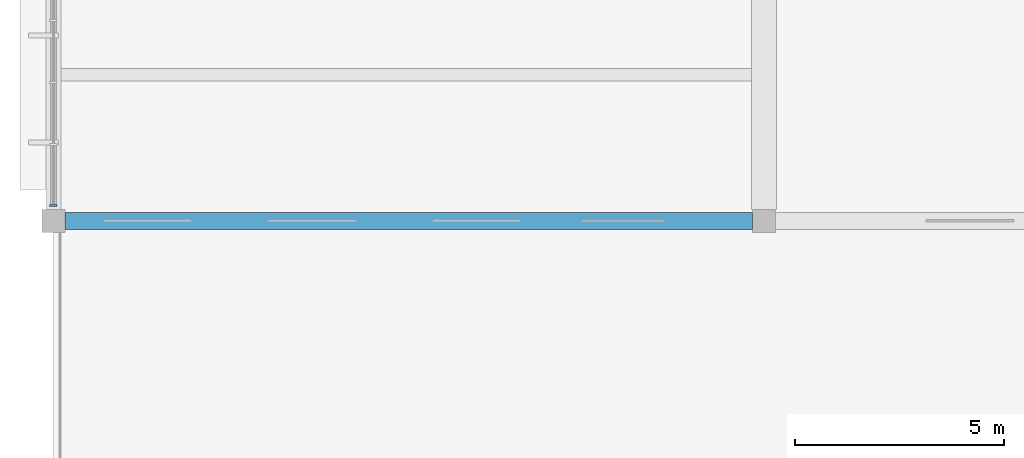
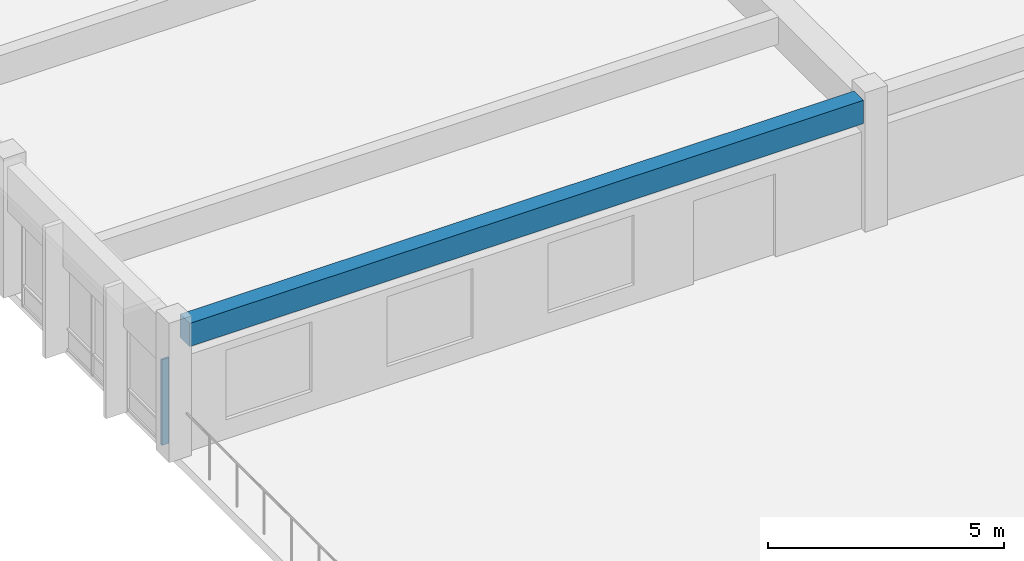
# One storey, part 2 of 23: 1 beam, 1 member, 1 element without a shape of its own.
"""IFC4 building model written with IfcOpenShell, lengths in metres."""

from ifc_helpers import new_model, si_unit, direction, frame, origin, origin_2d, place, context, subcontext, project, spatial, rectangle, extrude, material, material_profile, profile_set, type_object, element, aggregate, save


model = new_model("IFC4")

# Units and contexts
model_context = context("Model", 3, precision=1e-05, world=origin(), true_north=direction((0.0, 1.0)))
body_context = subcontext(model_context, "Body", "Model", "MODEL_VIEW")
ifc_project = project(units=[si_unit("LENGTHUNIT", "METRE"), si_unit("AREAUNIT", "SQUARE_METRE"), si_unit("VOLUMEUNIT", "CUBIC_METRE"), si_unit("PLANEANGLEUNIT", "RADIAN"), si_unit("MASSUNIT", "GRAM", prefix="KILO")], contexts=[model_context])

# Site, building, storey
site_placement = place(None, origin())
site = spatial("IfcSite", under=ifc_project, at=site_placement, CompositionType="ELEMENT")
building_placement = place(site_placement, origin())
building = spatial("IfcBuilding", under=site, at=building_placement, Name="Larkveld Mobility Hub", CompositionType="ELEMENT")
storey_placement = place(building_placement, frame((0.0, 0.0, 19.199951171875)))
storey = spatial("IfcBuildingStorey", under=building, at=storey_placement, Name="L05", CompositionType="ELEMENT", Elevation=19.199951171875)

# Beam
ifc_material_1 = material(Name="Concrete C40/50", Category="concrete")
ifc_material_profile_1 = material_profile(ifc_material_1, rectangle(XDim=0.39990234375, YDim=0.60009765625, at=origin_2d()), Name="RC BM 400x600")
ifc_profile_set_1 = profile_set([ifc_material_profile_1], Name="Concrete C40/50")
beam_type = type_object("IfcBeamType", Name="BM-RC4060", PredefinedType="BEAM", material=ifc_profile_set_1)
beam_placement = place(storey_placement, frame((112.27490234375, 28.0, 3.06005859375), z_axis=(1.0, 0.0, 0.0), x_axis=(0.0, 1.0, 0.0)))
element("IfcBeam", 1, at=beam_placement, inside=storey, type_object=beam_type, Name="Primary E-W Girder L05-0944", PredefinedType="BEAM", context=body_context, shape_type="SweptSolid", body=[
    extrude(rectangle(XDim=0.39990234375, YDim=0.60009765625, at=origin_2d()), origin(), (0.0, 0.0, 1.0), 16.4501953125),
])

# Curtain wall, member
ifc_material_2 = material(Name="Anodised aluminium 6063-T6", Category="aluminium")
curtain_wall_type = type_object("IfcCurtainWallType", Name="CW-SYS-06", PredefinedType="NOTDEFINED", material=ifc_material_2)
curtain_wall_placement = place(storey_placement, origin())
curtain_wall = element("IfcCurtainWall", 2, at=curtain_wall_placement, inside=storey, type_object=curtain_wall_type, Name="EV Wing West Glazing L05 CW-162", PredefinedType="NOTDEFINED")
ifc_material_profile_2 = material_profile(ifc_material_2, rectangle(XDim=0.050048828125, YDim=0.179931640625, at=origin_2d()), Name="ALU MULL 50x180")
ifc_profile_set_2 = profile_set([ifc_material_profile_2], Name="Anodised aluminium 6063-T6")
member_type = type_object("IfcMemberType", Name="CW-MUL-02", PredefinedType="MULLION", material=ifc_profile_set_2)
member_placement = place(storey_placement, frame((112.0, 28.375, -0.001953125), z_axis=(0.0, 0.0, 1.0), x_axis=(0.0, -1.0, 0.0)))
member = element("IfcMember", 3, at=member_placement, type_object=member_type, Name="CW06 mullion 5", PredefinedType="MULLION", context=body_context, shape_type="SweptSolid", body=[
    extrude(rectangle(XDim=0.050048828125, YDim=0.179931640625, at=origin_2d()), origin(), (0.0, 0.0, 1.0), 2.2119140625),
])
aggregate(curtain_wall, [member])

save(model, "model.ifc")
